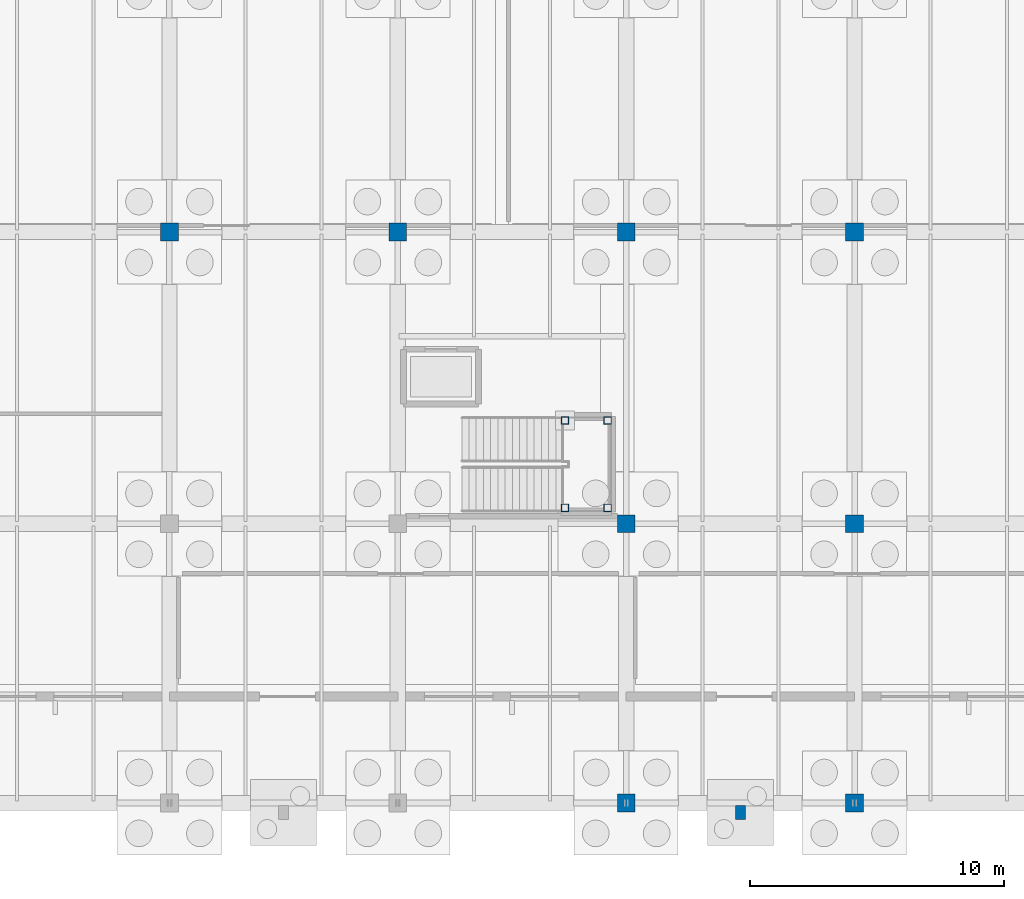
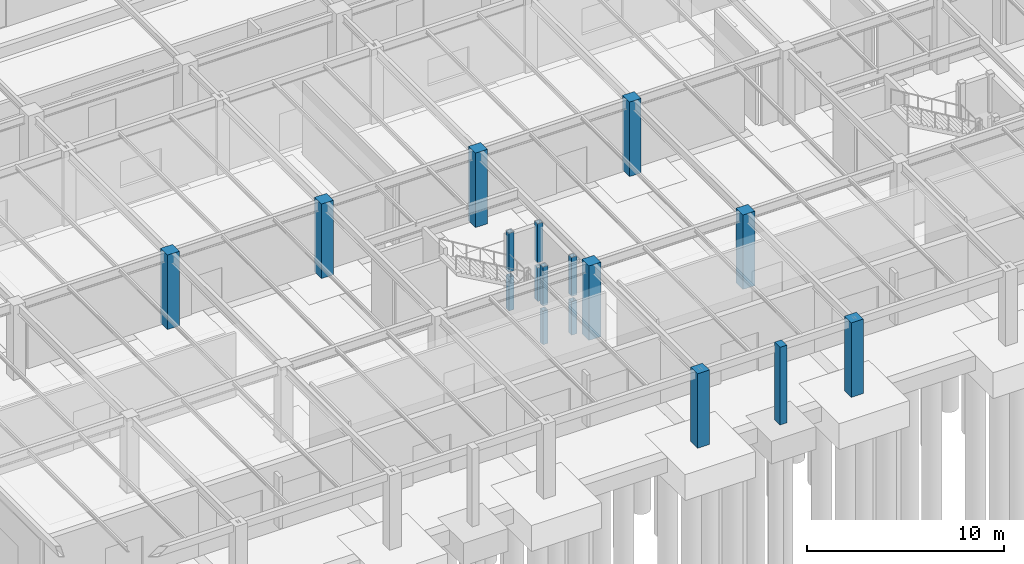
# One storey, part 27 of 160: 17 columns.
"""IFC4 building model written with IfcOpenShell, lengths in metres."""

from ifc_helpers import new_model, si_unit, direction, frame, origin, origin_2d, place, context, subcontext, project, spatial, rectangle, hollow_rectangle, extrude, material, material_profile, profile_set, type_object, element, save


model = new_model("IFC4")

# Units and contexts
model_context = context("Model", 3, precision=1e-05, world=origin(), true_north=direction((0.0, 1.0)))
body_context = subcontext(model_context, "Body", "Model", "MODEL_VIEW")
ifc_project = project(units=[si_unit("LENGTHUNIT", "METRE"), si_unit("AREAUNIT", "SQUARE_METRE"), si_unit("VOLUMEUNIT", "CUBIC_METRE"), si_unit("PLANEANGLEUNIT", "RADIAN"), si_unit("MASSUNIT", "GRAM", prefix="KILO")], contexts=[model_context])

# Site, building, storey
site_placement = place(None, origin())
site = spatial("IfcSite", under=ifc_project, at=site_placement, CompositionType="ELEMENT")
building_placement = place(site_placement, origin())
building = spatial("IfcBuilding", under=site, at=building_placement, Name="Marlcrest Central Station", CompositionType="ELEMENT")
storey_placement = place(building_placement, origin())
storey = spatial("IfcBuildingStorey", under=building, at=storey_placement, Name="L00", CompositionType="ELEMENT", Elevation=0.0)

# Columns
ifc_material_1 = material(Name="Precast concrete C40/50", Category="concrete")
ifc_material_profile_1 = material_profile(ifc_material_1, rectangle(XDim=0.39990234375, YDim=0.550048828125, at=origin_2d()), Name="PIL 400x550")
ifc_profile_set_1 = profile_set([ifc_material_profile_1], Name="Precast concrete C40/50")
column_type_1 = type_object("IfcColumnType", Name="PL-02", PredefinedType="PILASTER", material=ifc_profile_set_1)
column_1_placement = place(storey_placement, frame((184.5, -0.3798828125, 0.0), z_axis=(0.0, 0.0, 1.0), x_axis=(1.0, 0.0, 0.0)))
element("IfcColumn", 1, at=column_1_placement, inside=storey, type_object=column_type_1, Name="col-PL-02-L00-0292", PredefinedType="PILASTER", context=body_context, shape_type="SweptSolid", body=[
    extrude(rectangle(XDim=0.39990234375, YDim=0.550048828125, at=origin_2d()), origin(), (0.0, 0.0, 1.0), 4.800048828125),
])
ifc_material_2 = material(Name="Concrete C50/60", Category="concrete")
ifc_material_profile_2 = material_profile(ifc_material_2, rectangle(XDim=0.699951171875, YDim=0.699951171875, at=origin_2d()), Name="RC 700x700")
ifc_profile_set_2 = profile_set([ifc_material_profile_2], Name="Concrete C50/60")
column_type_2 = type_object("IfcColumnType", Name="RC-06", PredefinedType="COLUMN", material=ifc_profile_set_2)
for number, where, z_axis, x_axis, name in (
    (2, (162.0, 22.5, 0.0), (0.0, 0.0, 1.0), (1.0, 0.0, 0.0), "col-RC-06-L00-0263"),
    (3, (171.0, 22.5, 0.0), (0.0, 0.0, 1.0), (1.0, 0.0, 0.0), "col-RC-06-L00-0267"),
    (4, (180.0, 0.0, 0.0), (0.0, 0.0, 1.0), (1.0, 0.0, 0.0), "col-RC-06-L00-0269"),
    (5, (180.0, 11.0, 0.0), (0.0, 0.0, 1.0), (1.0, 0.0, 0.0), "col-RC-06-L00-0270"),
    (6, (180.0, 22.5, 0.0), (0.0, 0.0, 1.0), (1.0, 0.0, 0.0), "col-RC-06-L00-0271"),
    (7, (189.0, 0.0, 0.0), (0.0, 0.0, 1.0), (1.0, 0.0, 0.0), "col-RC-06-L00-0273"),
    (8, (189.0, 11.0, 0.0), (0.0, 0.0, 1.0), (1.0, 0.0, 0.0), "col-RC-06-L00-0274"),
    (9, (189.0, 22.5, 0.0), (0.0, 0.0, 1.0), (1.0, 0.0, 0.0), "col-RC-06-L00-0275"),
):
    element("IfcColumn", number, at=place(storey_placement, frame(where, z_axis=z_axis, x_axis=x_axis)), inside=storey, type_object=column_type_2, Name=name, PredefinedType="COLUMN", context=body_context, shape_type="SweptSolid", body=[
        extrude(rectangle(XDim=0.699951171875, YDim=0.699951171875, at=origin_2d()), origin(), (0.0, 0.0, 1.0), 4.60498046875),
    ])
ifc_material_3 = material(Name="Steel S355", Category="steel")
ifc_material_profile_3 = material_profile(ifc_material_3, hollow_rectangle(XDim=0.300048828125, YDim=0.300048828125, WallThickness=0.01611328125, at=origin_2d()), Name="SHS 300x300x16")
ifc_profile_set_3 = profile_set([ifc_material_profile_3], Name="Steel S355")
column_type_3 = type_object("IfcColumnType", Name="SC-19", PredefinedType="COLUMN", material=ifc_profile_set_3)
column_2_placement = place(storey_placement, frame((177.590087890625, 11.6298828125, 0.0), z_axis=(0.0, 0.0, 1.0), x_axis=(1.0, 0.0, 0.0)))
element("IfcColumn", 10, at=column_2_placement, inside=storey, type_object=column_type_3, Name="htcol-lo-0037-0", PredefinedType="COLUMN", context=body_context, shape_type="SweptSolid", body=[
    extrude(hollow_rectangle(XDim=0.300048828125, YDim=0.300048828125, WallThickness=0.01611328125, at=origin_2d()), origin(), (0.0, 0.0, 1.0), 2.080078125),
])
column_3_placement = place(storey_placement, frame((177.590087890625, 11.6298828125, 2.39990234375), z_axis=(0.0, 0.0, 1.0), x_axis=(1.0, 0.0, 0.0)))
element("IfcColumn", 11, at=column_3_placement, inside=storey, type_object=column_type_3, Name="htcol-hi-0037-0", PredefinedType="COLUMN", context=body_context, shape_type="SweptSolid", body=[
    extrude(hollow_rectangle(XDim=0.300048828125, YDim=0.300048828125, WallThickness=0.01611328125, at=origin_2d()), origin(), (0.0, 0.0, 1.0), 2.400146484375),
])
column_4_placement = place(storey_placement, frame((179.27001953125, 11.6298828125, 0.0), z_axis=(0.0, 0.0, 1.0), x_axis=(1.0, 0.0, 0.0)))
element("IfcColumn", 12, at=column_4_placement, inside=storey, type_object=column_type_3, Name="htcol-lo-0037-1", PredefinedType="COLUMN", context=body_context, shape_type="SweptSolid", body=[
    extrude(hollow_rectangle(XDim=0.300048828125, YDim=0.300048828125, WallThickness=0.01611328125, at=origin_2d()), origin(), (0.0, 0.0, 1.0), 2.080078125),
])
column_5_placement = place(storey_placement, frame((179.27001953125, 11.6298828125, 2.39990234375), z_axis=(0.0, 0.0, 1.0), x_axis=(1.0, 0.0, 0.0)))
element("IfcColumn", 13, at=column_5_placement, inside=storey, type_object=column_type_3, Name="htcol-hi-0037-1", PredefinedType="COLUMN", context=body_context, shape_type="SweptSolid", body=[
    extrude(hollow_rectangle(XDim=0.300048828125, YDim=0.300048828125, WallThickness=0.01611328125, at=origin_2d()), origin(), (0.0, 0.0, 1.0), 2.400146484375),
])
column_6_placement = place(storey_placement, frame((179.27001953125, 15.070068359375, 0.0), z_axis=(0.0, 0.0, 1.0), x_axis=(1.0, 0.0, 0.0)))
element("IfcColumn", 14, at=column_6_placement, inside=storey, type_object=column_type_3, Name="htcol-lo-0037-2", PredefinedType="COLUMN", context=body_context, shape_type="SweptSolid", body=[
    extrude(hollow_rectangle(XDim=0.300048828125, YDim=0.300048828125, WallThickness=0.01611328125, at=origin_2d()), origin(), (0.0, 0.0, 1.0), 2.080078125),
])
column_7_placement = place(storey_placement, frame((179.27001953125, 15.070068359375, 2.39990234375), z_axis=(0.0, 0.0, 1.0), x_axis=(1.0, 0.0, 0.0)))
element("IfcColumn", 15, at=column_7_placement, inside=storey, type_object=column_type_3, Name="htcol-hi-0037-2", PredefinedType="COLUMN", context=body_context, shape_type="SweptSolid", body=[
    extrude(hollow_rectangle(XDim=0.300048828125, YDim=0.300048828125, WallThickness=0.01611328125, at=origin_2d()), origin(), (0.0, 0.0, 1.0), 2.400146484375),
])
column_8_placement = place(storey_placement, frame((177.590087890625, 15.070068359375, 0.0), z_axis=(0.0, 0.0, 1.0), x_axis=(1.0, 0.0, 0.0)))
element("IfcColumn", 16, at=column_8_placement, inside=storey, type_object=column_type_3, Name="htcol-lo-0037-3", PredefinedType="COLUMN", context=body_context, shape_type="SweptSolid", body=[
    extrude(hollow_rectangle(XDim=0.300048828125, YDim=0.300048828125, WallThickness=0.01611328125, at=origin_2d()), origin(), (0.0, 0.0, 1.0), 2.080078125),
])
column_9_placement = place(storey_placement, frame((177.590087890625, 15.070068359375, 2.39990234375), z_axis=(0.0, 0.0, 1.0), x_axis=(1.0, 0.0, 0.0)))
element("IfcColumn", 17, at=column_9_placement, inside=storey, type_object=column_type_3, Name="htcol-hi-0037-3", PredefinedType="COLUMN", context=body_context, shape_type="SweptSolid", body=[
    extrude(hollow_rectangle(XDim=0.300048828125, YDim=0.300048828125, WallThickness=0.01611328125, at=origin_2d()), origin(), (0.0, 0.0, 1.0), 2.400146484375),
])

save(model, "model.ifc")
